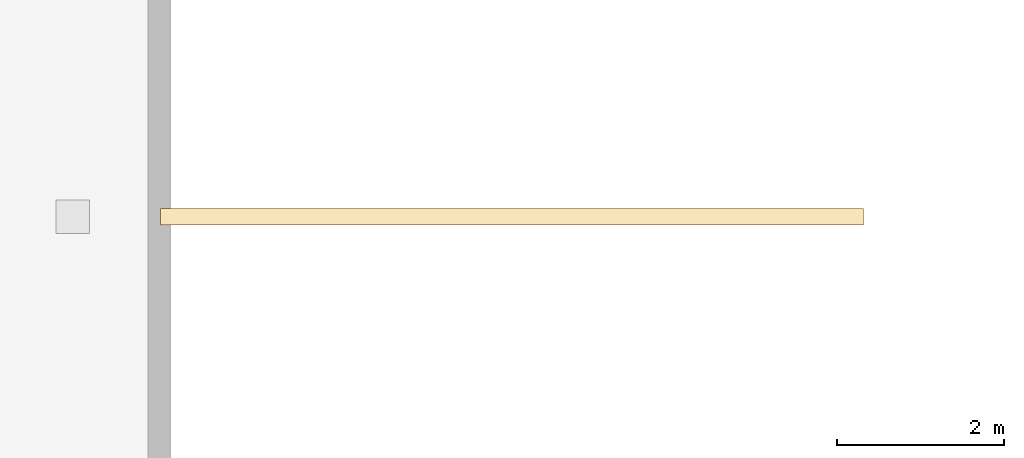
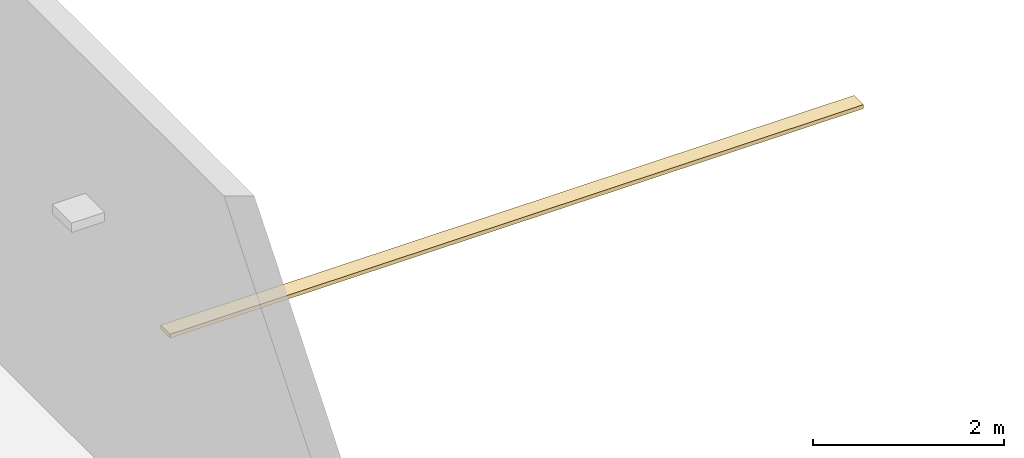
# One storey, part 91 of 94: 1 covering.
"""IFC4 building model written with IfcOpenShell, lengths in metres."""

from ifc_helpers import new_model, si_unit, direction, frame, origin, origin_2d, place, context, subcontext, project, spatial, rectangle, extrude, material, layer, layer_set, type_object, element, save


model = new_model("IFC4")

# Units and contexts
model_context = context("Model", 3, precision=1e-05, world=origin(), true_north=direction((0.0, 1.0)))
body_context = subcontext(model_context, "Body", "Model", "MODEL_VIEW")
ifc_project = project(units=[si_unit("LENGTHUNIT", "METRE"), si_unit("AREAUNIT", "SQUARE_METRE"), si_unit("VOLUMEUNIT", "CUBIC_METRE"), si_unit("PLANEANGLEUNIT", "RADIAN"), si_unit("MASSUNIT", "GRAM", prefix="KILO")], contexts=[model_context])

# Site, building, storey
site_placement = place(None, origin())
site = spatial("IfcSite", under=ifc_project, at=site_placement, CompositionType="ELEMENT")
building_placement = place(site_placement, origin())
building = spatial("IfcBuilding", under=site, at=building_placement, Name="Yavir Park General Hospital", CompositionType="ELEMENT")
storey_placement = place(building_placement, frame((0.0, 0.0, 4.5)))
storey = spatial("IfcBuildingStorey", under=building, at=storey_placement, Name="L01", CompositionType="ELEMENT", Elevation=4.5)

# Covering
ifc_material = material(Name="Aluminium ridge capping with gasket", Category="aluminium")
ifc_layer = layer(ifc_material, 0.050048828125)
ifc_layer_set = layer_set([ifc_layer], Name="Aluminium ridge capping with gasket")
covering_type = type_object("IfcCoveringType", Name="Glazed roof ridge capping 50", PredefinedType="ROOFING", material=ifc_layer_set)
covering_placement = place(storey_placement, frame((71.39990234375, 63.0, 2.28173828125), z_axis=(0.0, 0.0, 1.0), x_axis=(1.0, 0.0, 0.0)))
element("IfcCovering", 1, at=covering_placement, inside=storey, type_object=covering_type, Name="Glazed link roof ridge capping", PredefinedType="ROOFING", context=body_context, shape_type="SweptSolid", body=[
    extrude(rectangle(XDim=8.39990234375, YDim=0.19677734375, at=origin_2d()), origin(), (0.0, 0.0, 1.0), 0.050048828125),
])

save(model, "model.ifc")
